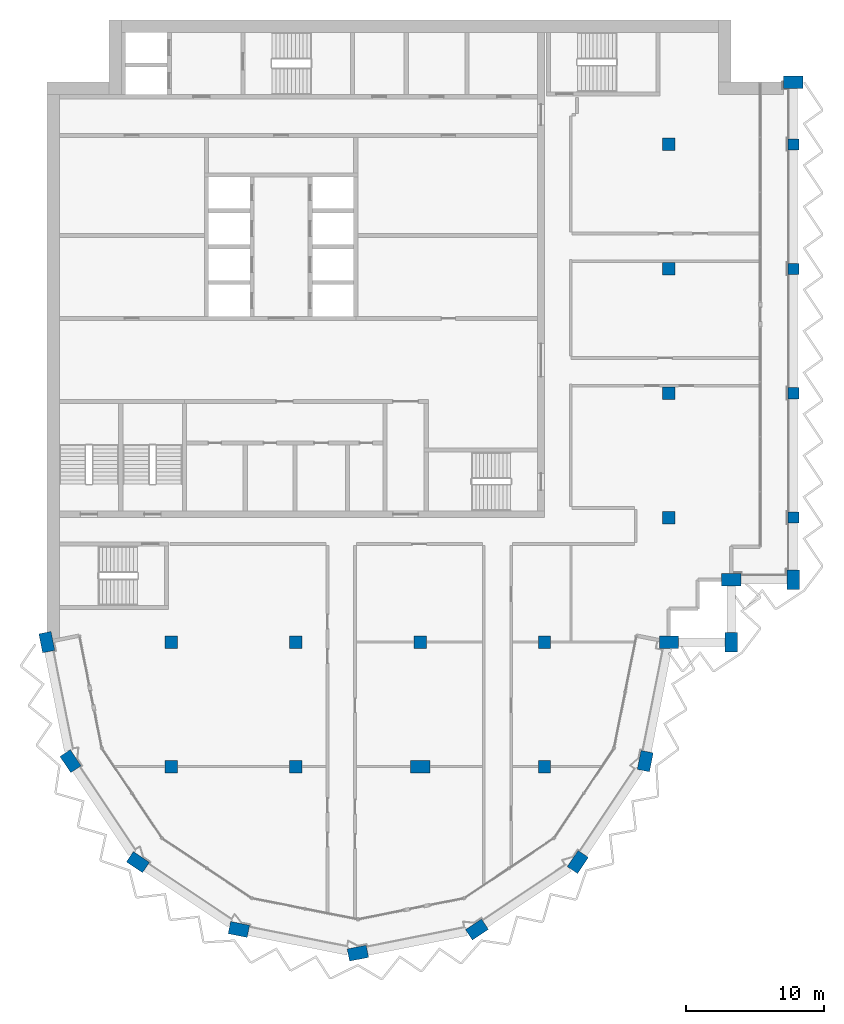
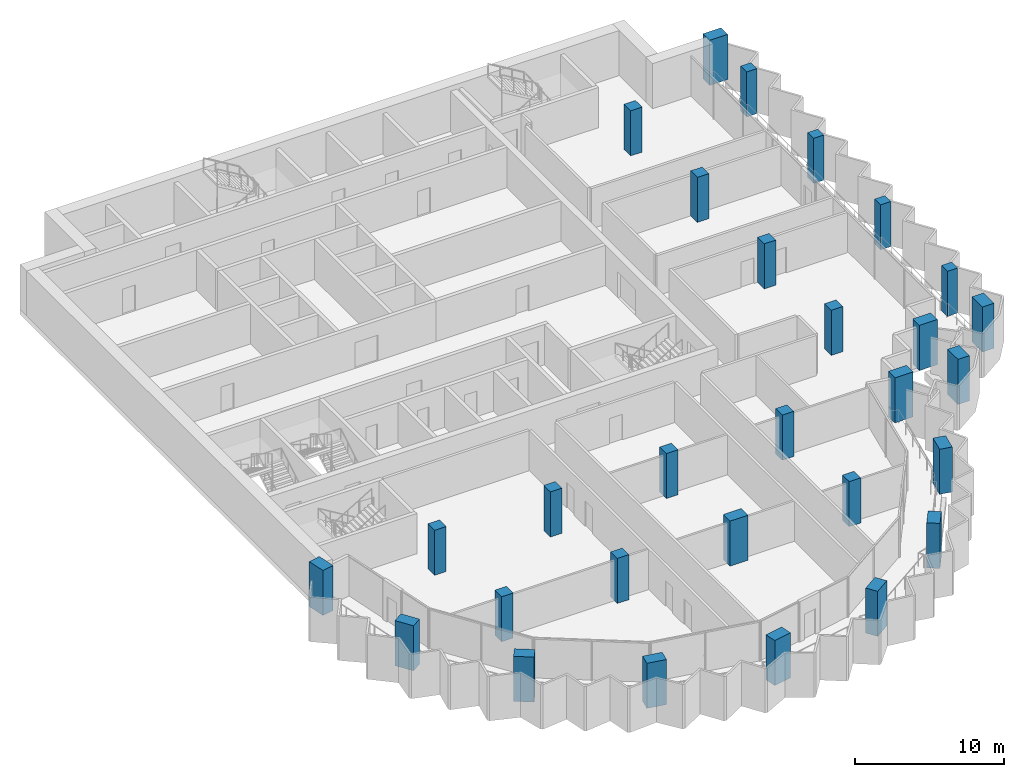
# One storey, part 1 of 14: 29 columns.
"""IFC4 building model written with IfcOpenShell, lengths in metres."""

import ifcopenshell
import ifcopenshell.guid

model = None  # the IFC model being written
_history = None  # IfcOwnerHistory: only IFC2X3 demands one
_inside = {}  # id of a spatial element -> (the spatial element, [elements in it])
_under = {}  # id of a project, library or spatial element -> (it, [spatial elements below it])
_declared = {}  # id of a project -> (the project, [libraries it declares])
_typed = {}  # id of a type object -> (the type object, [elements of that type])
_made_of = {}  # id of a material, layer set ... -> (it, [elements and type objects made of it])


def new_model(schema):
    """Start an empty IFC model of exactly this schema.

    Asked for "IFC4X3", IfcOpenShell would pick the latest addendum, in which some entities
    have other attributes; the version numbers below select the first issue.
    IFC2X3 requires an IfcOwnerHistory on every rooted entity: one is made here for all.
    """
    global model, _history
    if schema == "IFC4X3":
        model = ifcopenshell.file(schema_version=(4, 3, 0, 0))
    else:
        model = ifcopenshell.file(schema=schema)
    _inside.clear()
    _under.clear()
    _declared.clear()
    _typed.clear()
    _made_of.clear()
    _history = None
    if model.schema == "IFC2X3":
        org = make("IfcOrganization", Name="unknown")
        user = make(
            "IfcPersonAndOrganization",
            ThePerson=make("IfcPerson", FamilyName="unknown"),
            TheOrganization=org,
        )
        app = make(
            "IfcApplication",
            ApplicationDeveloper=org,
            Version="unknown",
            ApplicationFullName="unknown",
            ApplicationIdentifier="unknown",
        )
        _history = make(
            "IfcOwnerHistory",
            OwningUser=user,
            OwningApplication=app,
            ChangeAction="ADDED",
            CreationDate=0,
        )
    return model


def make(cls, **values):
    """One entity of the class cls with the attributes given. An attribute that is None is left unset."""
    return model.create_entity(
        cls, **{name: value for name, value in values.items() if value is not None}
    )


def rooted(cls, **values):
    """An entity with a GlobalId (a new one), such as an element, a storey or a relation."""
    return make(cls, GlobalId=ifcopenshell.guid.new(), OwnerHistory=_history, **values)


def si_unit(unit_type, name, prefix=None):
    """IfcSIUnit, for example si_unit("LENGTHUNIT", "METRE", prefix="MILLI")."""
    return make("IfcSIUnit", UnitType=unit_type, Prefix=prefix, Name=name)


def assignment(units):
    """IfcUnitAssignment: the units of a project."""
    return None if units is None else make("IfcUnitAssignment", Units=units)


def point(xyz):
    """IfcCartesianPoint."""
    return None if xyz is None else make("IfcCartesianPoint", Coordinates=xyz)


def direction(xyz):
    """IfcDirection."""
    return None if xyz is None else make("IfcDirection", DirectionRatios=xyz)


def frame(location, z_axis=None, x_axis=None):
    """IfcAxis2Placement3D, a coordinate frame: its origin and axes. An axis left out is left unset."""
    return make(
        "IfcAxis2Placement3D",
        Location=point(location),
        Axis=direction(z_axis),
        RefDirection=direction(x_axis),
    )


def frame_2d(location, x_axis=None):
    """IfcAxis2Placement2D, a coordinate frame in the plane: its origin and x axis."""
    return make(
        "IfcAxis2Placement2D", Location=point(location), RefDirection=direction(x_axis)
    )


def origin():
    """The frame at (0, 0, 0) with its axes left unset."""
    return frame((0.0, 0.0, 0.0))


def origin_2d():
    """The frame at (0, 0) in the plane with its x axis left unset."""
    return frame_2d((0.0, 0.0))


def place(relative_to, where):
    """IfcLocalPlacement: puts the frame where relative to a parent placement (None: the world)."""
    return make(
        "IfcLocalPlacement", PlacementRelTo=relative_to, RelativePlacement=where
    )


def context(
    kind, dimensions, precision=None, world=None, true_north=None, identifier=None
):
    """IfcGeometricRepresentationContext, for example the 3D "Model" context."""
    return make(
        "IfcGeometricRepresentationContext",
        ContextIdentifier=identifier,
        ContextType=kind,
        CoordinateSpaceDimension=dimensions,
        Precision=precision,
        WorldCoordinateSystem=world,
        TrueNorth=true_north,
    )


def subcontext(parent, identifier, kind, view, scale=None):
    """IfcGeometricRepresentationSubContext, for example "Body" below "Model"."""
    return make(
        "IfcGeometricRepresentationSubContext",
        ContextIdentifier=identifier,
        ContextType=kind,
        ParentContext=parent,
        TargetScale=scale,
        TargetView=view,
    )


def project(units=None, contexts=None):
    """IfcProject with its units and contexts."""
    return rooted(
        "IfcProject",
        Name="project",
        RepresentationContexts=contexts,
        UnitsInContext=assignment(units),
    )


def spatial(cls, under=None, at=None, **own):
    """A site, building, storey or space (cls), placed at a placement, below another one or the project."""
    s = rooted(cls, ObjectPlacement=at, **own)
    if under is not None:
        _under.setdefault(under.id(), (under, []))[1].append(s)
    return s


def profile(cls, at=None, kind="AREA", **sizes):
    """A parametric profile (cls). Its sizes go by their IFC names, for example OverallWidth=200.0."""
    return make(cls, ProfileType=kind, Position=at, **sizes)


def rectangle(**sizes):
    """IfcRectangleProfileDef."""
    return profile("IfcRectangleProfileDef", **sizes)


def extrude(swept, where, along, depth):
    """IfcExtrudedAreaSolid: the profile swept, set in the frame where, extruded along a direction by depth."""
    return make(
        "IfcExtrudedAreaSolid",
        SweptArea=swept,
        Position=where,
        ExtrudedDirection=direction(along),
        Depth=depth,
    )


def shape(context_of_items, identifier, shape_type, items):
    """IfcShapeRepresentation: the items that make up one representation, for example the "Body"."""
    return make(
        "IfcShapeRepresentation",
        ContextOfItems=context_of_items,
        RepresentationIdentifier=identifier,
        RepresentationType=shape_type,
        Items=items,
    )


def material(Name=None, Category=None):
    """IfcMaterial."""
    return make("IfcMaterial", Name=Name, Category=Category)


def material_profile(
    of_material, cross_section, Name=None, Category=None, Priority=None
):
    """IfcMaterialProfile: a cross section and its material."""
    return make(
        "IfcMaterialProfile",
        Name=Name,
        Material=of_material,
        Profile=cross_section,
        Priority=Priority,
        Category=Category,
    )


def profile_set(profiles, Name=None, composite=None):
    """IfcMaterialProfileSet."""
    return make(
        "IfcMaterialProfileSet",
        Name=Name,
        MaterialProfiles=profiles,
        CompositeProfile=composite,
    )


def made_of(thing, what):
    """Note that an element or type object is made of a material, layer set ...; save() writes the relation."""
    if what is not None:
        _made_of.setdefault(what.id(), (what, []))[1].append(thing)
    return thing


def type_object(cls, material=None, **own):
    """A type object (cls), such as IfcWallType, which elements share."""
    return made_of(rooted(cls, **own), material)


def element(
    cls,
    number,
    at=None,
    inside=None,
    cuts=None,
    type_object=None,
    material=None,
    context=None,
    identifier="Body",
    shape_type=None,
    held_by="IfcProductDefinitionShape",
    body=None,
    shapes=None,
    **own,
):
    """One element of the class cls, such as IfcWall. Its Tag is "e" and its number.

    at: its placement. inside: the storey or other place that contains it. cuts: it is an
    opening in that element (IfcRelVoidsElement). A single representation is given by context,
    identifier, shape_type and body (its items); several are given by shapes. held_by: the class
    of the entity that holds the representations. save() writes the other relations.
    """
    e = rooted(cls, Tag="e%d" % number, ObjectPlacement=at, **own)
    if body is not None:
        shapes = [shape(context, identifier, shape_type, body)]
    if shapes is not None:
        e.Representation = make(held_by, Representations=shapes)
    if inside is not None:
        _inside.setdefault(inside.id(), (inside, []))[1].append(e)
    if cuts is not None:
        rooted(
            "IfcRelVoidsElement", RelatingBuildingElement=cuts, RelatedOpeningElement=e
        )
    if type_object is not None:
        _typed.setdefault(type_object.id(), (type_object, []))[1].append(e)
    return made_of(e, material)


def aggregate(whole, parts):
    """IfcRelAggregates: a whole, such as a stair, and the parts it consists of."""
    return rooted("IfcRelAggregates", RelatingObject=whole, RelatedObjects=parts)


def save(model, path):
    """Write the relations noted so far, then the file.

    IfcRelAggregates (storeys below a building ...), IfcRelContainedInSpatialStructure (elements
    in a storey), IfcRelDefinesByType, IfcRelAssociatesMaterial and IfcRelDeclares: one each for
    every whole, place, type object, material and project.
    """
    for whole, parts in _under.values():
        aggregate(whole, parts)
    for where, things in _inside.values():
        rooted(
            "IfcRelContainedInSpatialStructure",
            RelatedElements=things,
            RelatingStructure=where,
        )
    for kind, things in _typed.values():
        rooted("IfcRelDefinesByType", RelatedObjects=things, RelatingType=kind)
    for what, things in _made_of.values():
        rooted("IfcRelAssociatesMaterial", RelatedObjects=things, RelatingMaterial=what)
    for by, libraries in _declared.values():
        rooted("IfcRelDeclares", RelatingContext=by, RelatedDefinitions=libraries)
    model.write(path)


model = new_model("IFC4")

# Units and contexts
model_context = context("Model", 3, precision=1e-05, world=origin(), true_north=direction((0.0, 1.0)))
body_context = subcontext(model_context, "Body", "Model", "MODEL_VIEW")
ifc_project = project(units=[si_unit("LENGTHUNIT", "METRE"), si_unit("AREAUNIT", "SQUARE_METRE"), si_unit("VOLUMEUNIT", "CUBIC_METRE"), si_unit("PLANEANGLEUNIT", "RADIAN"), si_unit("MASSUNIT", "GRAM", prefix="KILO")], contexts=[model_context])

# Site, building, storey
site_placement = place(None, origin())
site = spatial("IfcSite", under=ifc_project, at=site_placement, CompositionType="ELEMENT")
building_placement = place(site_placement, origin())
building = spatial("IfcBuilding", under=site, at=building_placement, Name="Hunhe Ridgeline Campus", CompositionType="ELEMENT")
storey_placement = place(building_placement, frame((0.0, 0.0, 284.5)))
storey = spatial("IfcBuildingStorey", under=building, at=storey_placement, Name="L73", CompositionType="ELEMENT", Elevation=284.5)

# Columns
ifc_material = material(Name="Concrete C50", Category="concrete")
ifc_material_profile_1 = material_profile(ifc_material, rectangle(XDim=1.39990234375, YDim=0.89990234375, at=origin_2d()))
ifc_profile_set_1 = profile_set([ifc_material_profile_1], Name="Concrete C50")
column_type_1 = type_object("IfcColumnType", Name="Megacolumn 1400x900 Concrete C50", PredefinedType="COLUMN", material=ifc_profile_set_1)
for number, where, z_axis, x_axis, name in (
    (1, (22.5, 31.5, 0.0), (0.0, 0.0, 1.0), (0.980785280403, 0.195090322016, 0.0), "Column C16 R20 L73"),
    (2, (13.8896484375, 33.212646484375, 0.0), (0.0, 0.0, 1.0), (-0.980785280403, 0.195090322016, 0.0), "Column C16 R21 L73"),
    (3, (31.1103515625, 33.212646484375, 0.0), (0.0, 0.0, 1.0), (0.831469612303, 0.55557023302, 0.0), "Column C16 R22 L73"),
    (4, (6.590087890625, 38.090087890625, 0.0), (0.0, 0.0, 1.0), (-0.831469612303, 0.55557023302, 0.0), "Column C16 R25 L73"),
    (5, (38.409912109375, 38.090087890625, 0.0), (0.0, 0.0, 1.0), (0.55557023302, 0.831469612303, 0.0), "Column C16 R26 L73"),
    (6, (1.712646484375, 45.3896484375, 0.0), (0.0, 0.0, 1.0), (-0.55557023302, 0.831469612303, 0.0), "Column C16 R27 L73"),
    (7, (43.287353515625, 45.3896484375, 0.0), (0.0, 0.0, 1.0), (0.195090322016, 0.980785280403, 0.0), "Column C16 R28 L73"),
    (8, (0.0, 54.0, 0.0), (0.0, 0.0, 1.0), (-0.195090322016, 0.980785280403, 0.0), "Column C16 G1 L73"),
    (9, (45.0, 54.0, 0.0), (0.0, 0.0, 1.0), (1.0, 0.0, 0.0), "Column C16 G6 L73"),
    (10, (49.5, 54.0, 0.0), (0.0, 0.0, 1.0), (0.0, 1.0, 0.0), "Column C16 R29 L73"),
    (11, (49.5, 58.5, 0.0), (0.0, 0.0, 1.0), (1.0, 0.0, 0.0), "Column C16 R33 L73"),
    (12, (54.0, 58.5, 0.0), (0.0, 0.0, 1.0), (0.0, 1.0, 0.0), "Column C16 R34 L73"),
    (13, (54.0, 94.5, 0.0), (0.0, 0.0, 1.0), (1.0, 0.0, 0.0), "Column C16 R41 L73"),
    (14, (27.0, 45.0, 0.0), (0.0, 0.0, 1.0), (1.0, 0.0, 0.0), "Column C16 F4 L73"),
):
    element("IfcColumn", number, at=place(storey_placement, frame(where, z_axis=z_axis, x_axis=x_axis)), inside=storey, type_object=column_type_1, Name=name, PredefinedType="COLUMN", context=body_context, shape_type="SweptSolid", body=[
        extrude(rectangle(XDim=1.39990234375, YDim=0.89990234375, at=origin_2d()), origin(), (0.0, 0.0, 1.0), 3.699951171875),
    ])
ifc_material_profile_2 = material_profile(ifc_material, rectangle(XDim=0.800048828125, YDim=0.800048828125, at=origin_2d()))
ifc_profile_set_2 = profile_set([ifc_material_profile_2], Name="Concrete C50")
column_type_2 = type_object("IfcColumnType", Name="RC column 800x800 Concrete C50", PredefinedType="COLUMN", material=ifc_profile_set_2)
for number, where, z_axis, x_axis, name in (
    (15, (54.0, 63.0, 0.0), (0.0, 0.0, 1.0), (1.0, 0.0, 0.0), "Column C17 H7 L73"),
    (16, (54.0, 72.0, 0.0), (0.0, 0.0, 1.0), (1.0, 0.0, 0.0), "Column C17 I7 L73"),
    (17, (54.0, 81.0, 0.0), (0.0, 0.0, 1.0), (1.0, 0.0, 0.0), "Column C17 J7 L73"),
    (18, (54.0, 90.0, 0.0), (0.0, 0.0, 1.0), (1.0, 0.0, 0.0), "Column C17 K7 L73"),
):
    element("IfcColumn", number, at=place(storey_placement, frame(where, z_axis=z_axis, x_axis=x_axis)), inside=storey, type_object=column_type_2, Name=name, PredefinedType="COLUMN", context=body_context, shape_type="SweptSolid", body=[
        extrude(rectangle(XDim=0.800048828125, YDim=0.800048828125, at=origin_2d()), origin(), (0.0, 0.0, 1.0), 3.699951171875),
    ])
ifc_material_profile_3 = material_profile(ifc_material, rectangle(XDim=0.89990234375, YDim=0.89990234375, at=origin_2d()))
ifc_profile_set_3 = profile_set([ifc_material_profile_3], Name="Concrete C50")
column_type_3 = type_object("IfcColumnType", Name="RC column 900x900 Concrete C50", PredefinedType="COLUMN", material=ifc_profile_set_3)
for number, where, z_axis, x_axis, name in (
    (19, (9.0, 45.0, 0.0), (0.0, 0.0, 1.0), (1.0, 0.0, 0.0), "Column C18 F2 L73"),
    (20, (9.0, 54.0, 0.0), (0.0, 0.0, 1.0), (1.0, 0.0, 0.0), "Column C18 G2 L73"),
    (21, (18.0, 45.0, 0.0), (0.0, 0.0, 1.0), (1.0, 0.0, 0.0), "Column C18 F3 L73"),
    (22, (18.0, 54.0, 0.0), (0.0, 0.0, 1.0), (1.0, 0.0, 0.0), "Column C18 G3 L73"),
    (23, (27.0, 54.0, 0.0), (0.0, 0.0, 1.0), (1.0, 0.0, 0.0), "Column C18 G4 L73"),
    (24, (36.0, 45.0, 0.0), (0.0, 0.0, 1.0), (1.0, 0.0, 0.0), "Column C18 F5 L73"),
    (25, (36.0, 54.0, 0.0), (0.0, 0.0, 1.0), (1.0, 0.0, 0.0), "Column C18 G5 L73"),
    (26, (45.0, 63.0, 0.0), (0.0, 0.0, 1.0), (1.0, 0.0, 0.0), "Column C18 H6 L73"),
    (27, (45.0, 72.0, 0.0), (0.0, 0.0, 1.0), (1.0, 0.0, 0.0), "Column C18 I6 L73"),
    (28, (45.0, 81.0, 0.0), (0.0, 0.0, 1.0), (1.0, 0.0, 0.0), "Column C18 J6 L73"),
    (29, (45.0, 90.0, 0.0), (0.0, 0.0, 1.0), (1.0, 0.0, 0.0), "Column C18 K6 L73"),
):
    element("IfcColumn", number, at=place(storey_placement, frame(where, z_axis=z_axis, x_axis=x_axis)), inside=storey, type_object=column_type_3, Name=name, PredefinedType="COLUMN", context=body_context, shape_type="SweptSolid", body=[
        extrude(rectangle(XDim=0.89990234375, YDim=0.89990234375, at=origin_2d()), origin(), (0.0, 0.0, 1.0), 3.699951171875),
    ])

save(model, "model.ifc")
